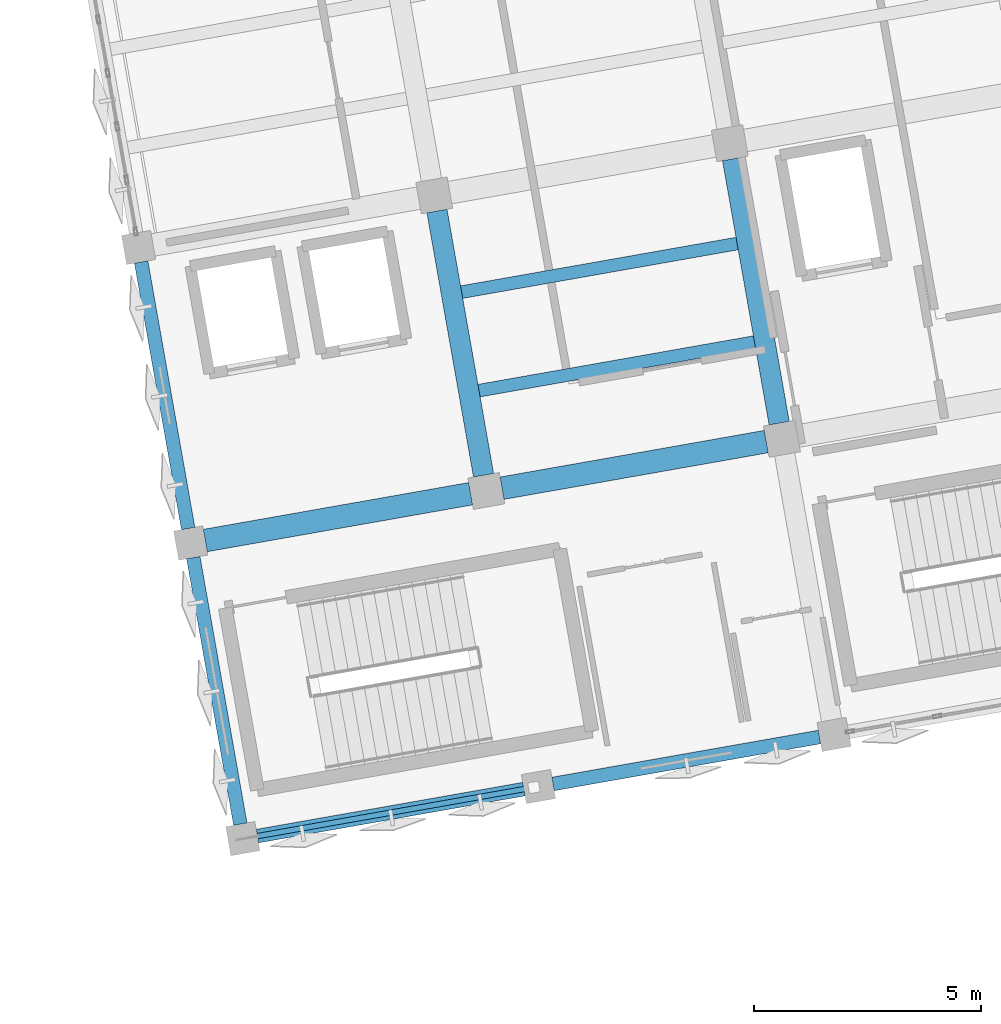
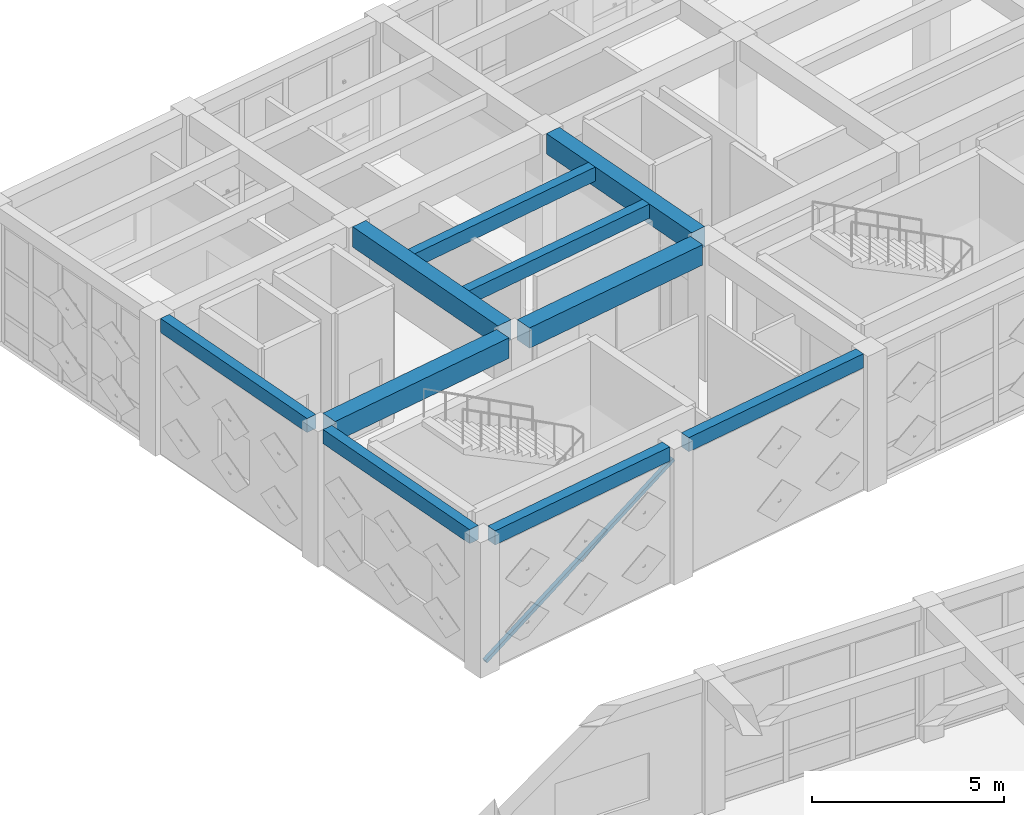
# One storey, part 12 of 67: 10 beams, 1 member.
"""IFC4 building model written with IfcOpenShell, lengths in metres."""

from ifc_helpers import new_model, si_unit, direction, frame, origin, origin_2d, place, context, subcontext, project, spatial, rectangle, hollow_rectangle, extrude, material, material_profile, profile_set, type_object, element, save


model = new_model("IFC4")

# Units and contexts
model_context = context("Model", 3, precision=1e-05, world=origin(), true_north=direction((0.0, 1.0)))
body_context = subcontext(model_context, "Body", "Model", "MODEL_VIEW")
ifc_project = project(units=[si_unit("LENGTHUNIT", "METRE"), si_unit("AREAUNIT", "SQUARE_METRE"), si_unit("VOLUMEUNIT", "CUBIC_METRE"), si_unit("PLANEANGLEUNIT", "RADIAN"), si_unit("MASSUNIT", "GRAM", prefix="KILO")], contexts=[model_context])

# Site, building, storey
site_placement = place(None, origin())
site = spatial("IfcSite", under=ifc_project, at=site_placement, CompositionType="ELEMENT")
building_placement = place(site_placement, origin())
building = spatial("IfcBuilding", under=site, at=building_placement, Name="Kharisveld Research Institute", CompositionType="ELEMENT")
storey_placement = place(building_placement, frame((0.0, 0.0, 9.60009765625)))
storey = spatial("IfcBuildingStorey", under=building, at=storey_placement, Name="L02", CompositionType="ELEMENT", Elevation=9.60009765625)

# Beams
ifc_material_1 = material(Name="Concrete C40/50", Category="concrete")
ifc_material_profile_1 = material_profile(ifc_material_1, rectangle(XDim=0.449951171875, YDim=0.64990234375, at=origin_2d()))
ifc_profile_set_1 = profile_set([ifc_material_profile_1], Name="Concrete C40/50")
beam_type_1 = type_object("IfcBeamType", Name="BM_RC_450x650", PredefinedType="BEAM", material=ifc_profile_set_1)
beam_1_placement = place(storey_placement, frame((10.492919921875, 43.00048828125, 3.994873046875), z_axis=(-0.173672023659, 0.984803548023, 0.0), x_axis=(-0.984803548023, -0.173672023659, 0.0)))
element("IfcBeam", 1, at=beam_1_placement, inside=storey, type_object=beam_type_1, Name="BM:V1:L02:V1_1", PredefinedType="BEAM", context=body_context, shape_type="SweptSolid", body=[
    extrude(rectangle(XDim=0.449951171875, YDim=0.64990234375, at=origin_2d()), origin(), (0.0, 0.0, 1.0), 5.89990234375),
])
beam_2_placement = place(storey_placement, frame((16.99267578125, 44.146484375, 3.994873046875), z_axis=(-0.173664946598, 0.98480479605, 0.0), x_axis=(-0.98480479605, -0.173664946598, 0.0)))
element("IfcBeam", 2, at=beam_2_placement, inside=storey, type_object=beam_type_1, Name="BM:V1:L02:V2_1", PredefinedType="BEAM", context=body_context, shape_type="SweptSolid", body=[
    extrude(rectangle(XDim=0.449951171875, YDim=0.64990234375, at=origin_2d()), origin(), (0.0, 0.0, 1.0), 5.900146484375),
])
ifc_material_2 = material(Name="Concrete C40/50", Category="concrete")
ifc_material_profile_2 = material_profile(ifc_material_2, rectangle(XDim=0.5, YDim=0.64990234375, at=origin_2d()))
ifc_profile_set_2 = profile_set([ifc_material_profile_2], Name="Concrete C40/50")
beam_type_2 = type_object("IfcBeamType", Name="BM_RC_500x650", PredefinedType="BEAM", material=ifc_profile_set_2)
beam_3_placement = place(storey_placement, frame((4.3740234375, 41.566162109375, 3.994873046875), z_axis=(0.984809266846, 0.173639592071, 0.0), x_axis=(-0.173639592071, 0.984809266846, 0.0)))
element("IfcBeam", 3, at=beam_3_placement, inside=storey, type_object=beam_type_2, Name="BM:V1:L02:U0_1", PredefinedType="BEAM", context=body_context, shape_type="SweptSolid", body=[
    extrude(rectangle(XDim=0.5, YDim=0.64990234375, at=origin_2d()), origin(), (0.0, 0.0, 1.0), 5.925048828125),
])
beam_4_placement = place(storey_placement, frame((10.8984375, 42.716552734375, 3.994873046875), z_axis=(0.984803548023, 0.173672023659, 0.0), x_axis=(-0.173672023659, 0.984803548023, 0.0)))
element("IfcBeam", 4, at=beam_4_placement, inside=storey, type_object=beam_type_2, Name="BM:V1:L02:U1_1", PredefinedType="BEAM", context=body_context, shape_type="SweptSolid", body=[
    extrude(rectangle(XDim=0.5, YDim=0.64990234375, at=origin_2d()), origin(), (0.0, 0.0, 1.0), 5.89990234375),
])

# Member
ifc_material_3 = material(Name="Steel S355J2H", Category="steel")
ifc_material_profile_3 = material_profile(ifc_material_3, hollow_rectangle(XDim=0.1201171875, YDim=0.1201171875, WallThickness=0.00634765625, at=origin_2d()))
ifc_profile_set_3 = profile_set([ifc_material_profile_3], Name="Steel S355J2H")
member_type = type_object("IfcMemberType", Name="BR_SHS120", PredefinedType="BRACE", material=ifc_profile_set_3)
member_placement = place(storey_placement, frame((5.298583984375, 35.02734375, 0.199951171875), z_axis=(0.860046737569, 0.151647534452, 0.487157710082), x_axis=(-0.173646056486, 0.984808127031, 0.0)))
element("IfcMember", 5, at=member_placement, inside=storey, type_object=member_type, Name="MEM:V1:L02:BR_0_0", PredefinedType="BRACE", context=body_context, shape_type="SweptSolid", body=[
    extrude(hollow_rectangle(XDim=0.1201171875, YDim=0.1201171875, WallThickness=0.00634765625, at=origin_2d()), origin(), (0.0, 0.0, 1.0), 7.328369140625),
])

# Beams
ifc_material_4 = material(Name="Concrete C40/50", Category="concrete")
ifc_material_profile_4 = material_profile(ifc_material_4, rectangle(XDim=0.300048828125, YDim=0.449951171875, at=origin_2d()))
ifc_profile_set_4 = profile_set([ifc_material_profile_4], Name="Concrete C40/50")
beam_type_3 = type_object("IfcBeamType", Name="SP_RC_300x450", PredefinedType="SPANDREL", material=ifc_profile_set_4)
for number, where, z_axis, x_axis, name in (
    (6, (5.52001953125, 35.06640625, 4.094970703125), (0.984807920462, 0.173647228007, 0.0), (-0.173647228007, 0.984807920462, 0.0), "BM:V1:L02:U0_0"),
    (7, (12.019775390625, 36.21240234375, 4.094970703125), (0.984807920462, 0.173647228007, 0.0), (-0.173647228007, 0.984807920462, 0.0), "BM:V1:L02:U1_0"),
    (8, (5.1435546875, 35.330078125, 4.094970703125), (-0.173647228007, 0.984807920462, 0.0), (-0.984807920462, -0.173647228007, 0.0), "BM:V1:L02:V0_0"),
    (9, (3.99755859375, 41.829833984375, 4.094970703125), (-0.173647228007, 0.984807920462, 0.0), (-0.984807920462, -0.173647228007, 0.0), "BM:V1:L02:V0_1"),
):
    element("IfcBeam", number, at=place(storey_placement, frame(where, z_axis=z_axis, x_axis=x_axis)), inside=storey, type_object=beam_type_3, Name=name, PredefinedType="SPANDREL", context=body_context, shape_type="SweptSolid", body=[
        extrude(rectangle(XDim=0.300048828125, YDim=0.449951171875, at=origin_2d()), origin(), (0.0, 0.0, 1.0), 5.949951171875),
    ])
ifc_material_5 = material(Name="Concrete C40/50", Category="concrete")
ifc_material_profile_5 = material_profile(ifc_material_5, rectangle(XDim=0.280029296875, YDim=0.449951171875, at=origin_2d()))
ifc_profile_set_5 = profile_set([ifc_material_profile_5], Name="Concrete C40/50")
beam_type_4 = type_object("IfcBeamType", Name="WB_RC_280x450", PredefinedType="JOIST", material=ifc_profile_set_5)
beam_5_placement = place(storey_placement, frame((10.393310546875, 44.861572265625, 4.094970703125), z_axis=(0.984808726596, 0.17364265611, 0.0), x_axis=(-0.17364265611, 0.984808726596, 0.0)))
element("IfcBeam", 10, at=beam_5_placement, inside=storey, type_object=beam_type_4, Name="BM:V1:L02:J_1_1_R1", PredefinedType="JOIST", context=body_context, shape_type="SweptSolid", body=[
    extrude(rectangle(XDim=0.280029296875, YDim=0.449951171875, at=origin_2d()), origin(), (0.0, 0.0, 1.0), 6.14990234375),
])
beam_6_placement = place(storey_placement, frame((10.01123046875, 47.028076171875, 4.094970703125), z_axis=(0.984809923515, 0.173635867682, 0.0), x_axis=(-0.173635867682, 0.984809923515, 0.0)))
element("IfcBeam", 11, at=beam_6_placement, inside=storey, type_object=beam_type_4, Name="BM:V1:L02:J_1_1_R2", PredefinedType="JOIST", context=body_context, shape_type="SweptSolid", body=[
    extrude(rectangle(XDim=0.280029296875, YDim=0.449951171875, at=origin_2d()), origin(), (0.0, 0.0, 1.0), 6.150146484375),
])

save(model, "model.ifc")
